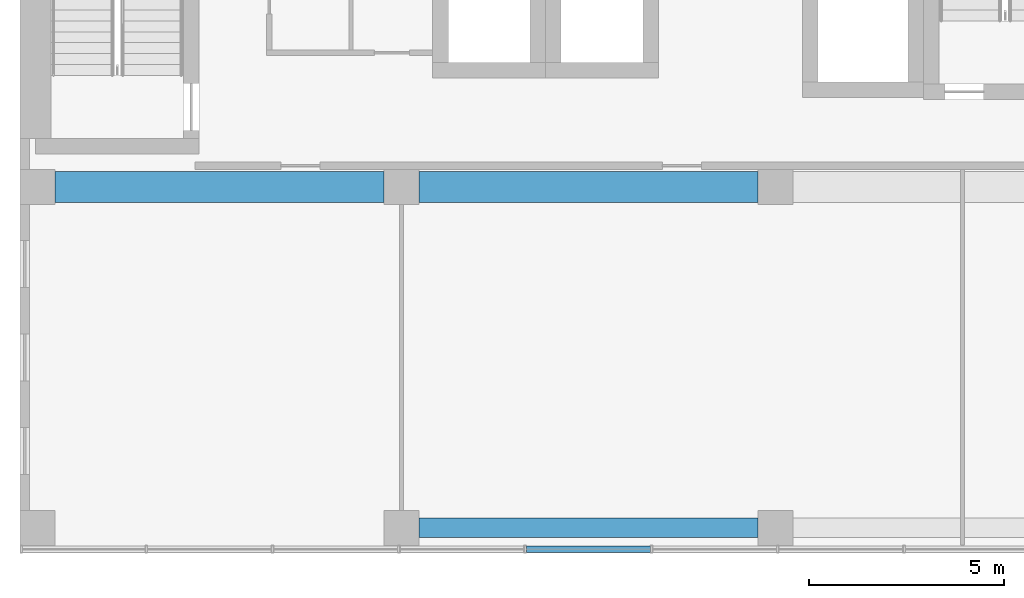
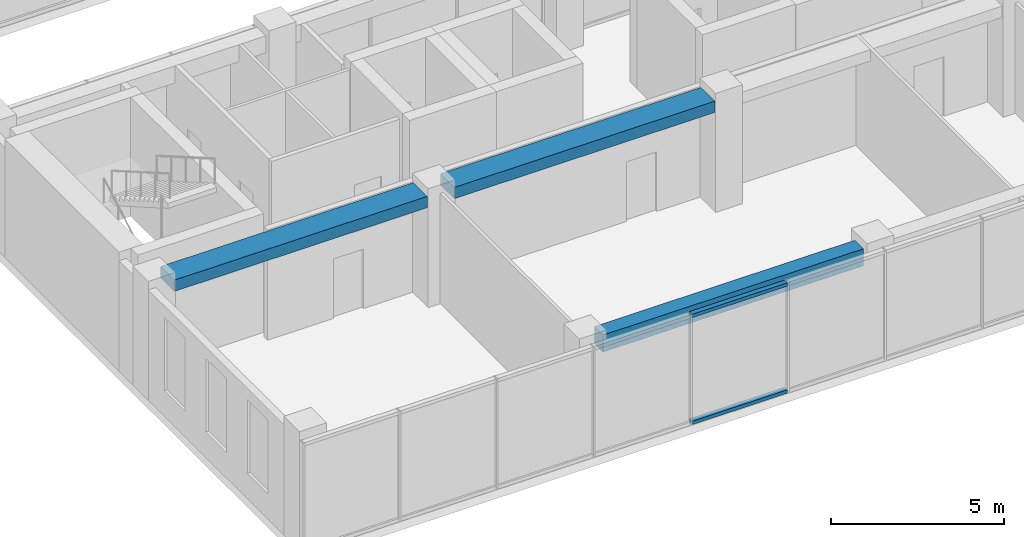
# One storey, part 3 of 36: 3 beams, 2 members, 1 element without a shape of its own.
"""IFC4 building model written with IfcOpenShell, lengths in metres."""

from ifc_helpers import new_model, si_unit, direction, frame, origin, origin_2d, place, context, subcontext, project, spatial, rectangle, hollow_rectangle, extrude, material, layer, layer_set, material_profile, profile_set, type_object, element, aggregate, save


model = new_model("IFC4")

# Units and contexts
model_context = context("Model", 3, precision=1e-05, world=origin(), true_north=direction((0.0, 1.0)))
body_context = subcontext(model_context, "Body", "Model", "MODEL_VIEW")
ifc_project = project(units=[si_unit("LENGTHUNIT", "METRE"), si_unit("AREAUNIT", "SQUARE_METRE"), si_unit("VOLUMEUNIT", "CUBIC_METRE"), si_unit("PLANEANGLEUNIT", "RADIAN"), si_unit("MASSUNIT", "GRAM", prefix="KILO")], contexts=[model_context])

# Site, building, storey
site_placement = place(None, origin())
site = spatial("IfcSite", under=ifc_project, at=site_placement, CompositionType="ELEMENT")
building_placement = place(site_placement, origin())
building = spatial("IfcBuilding", under=site, at=building_placement, Name="Nzadi Deep Aquarium and Research Tower", CompositionType="ELEMENT")
storey_placement = place(building_placement, frame((0.0, 0.0, 44.5)))
storey = spatial("IfcBuildingStorey", under=building, at=storey_placement, Name="L08", CompositionType="ELEMENT", Elevation=44.5)

# Beams
ifc_material_1 = material(Name="Concrete C35/45", Category="concrete")
ifc_material_profile_1 = material_profile(ifc_material_1, rectangle(XDim=0.5, YDim=0.60009765625, at=origin_2d()))
ifc_profile_set_1 = profile_set([ifc_material_profile_1], Name="Concrete C35/45")
beam_type_1 = type_object("IfcBeamType", Name="RC 500x600", PredefinedType="BEAM", material=ifc_profile_set_1)
beam_1_placement = place(storey_placement, frame((10.050048828125, 0.449951171875, 3.60009765625), z_axis=(1.0, 0.0, 0.0), x_axis=(0.0, 1.0, 0.0)))
element("IfcBeam", 1, at=beam_1_placement, inside=storey, type_object=beam_type_1, Name="B-Z1-L08-L1-2", PredefinedType="BEAM", context=body_context, shape_type="SweptSolid", body=[
    extrude(rectangle(XDim=0.5, YDim=0.60009765625, at=origin_2d()), origin(), (0.0, 0.0, 1.0), 8.699951171875),
])
ifc_material_2 = material(Name="Concrete C35/45", Category="concrete")
ifc_material_profile_2 = material_profile(ifc_material_2, rectangle(XDim=0.800048828125, YDim=0.39990234375, at=origin_2d()))
ifc_profile_set_2 = profile_set([ifc_material_profile_2], Name="Concrete C35/45")
beam_type_2 = type_object("IfcBeamType", Name="RC 800x400", PredefinedType="BEAM", material=ifc_profile_set_2)
beam_2_placement = place(storey_placement, frame((0.699951171875, 9.199951171875, 3.699951171875), z_axis=(1.0, 0.0, 0.0), x_axis=(0.0, 1.0, 0.0)))
element("IfcBeam", 2, at=beam_2_placement, inside=storey, type_object=beam_type_2, Name="B-Z1-L08-L2-1", PredefinedType="BEAM", context=body_context, shape_type="SweptSolid", body=[
    extrude(rectangle(XDim=0.800048828125, YDim=0.39990234375, at=origin_2d()), origin(), (0.0, 0.0, 1.0), 8.449951171875),
])
beam_3_placement = place(storey_placement, frame((10.050048828125, 9.199951171875, 3.699951171875), z_axis=(1.0, 0.0, 0.0), x_axis=(0.0, 1.0, 0.0)))
element("IfcBeam", 3, at=beam_3_placement, inside=storey, type_object=beam_type_2, Name="B-Z1-L08-L2-2", PredefinedType="BEAM", context=body_context, shape_type="SweptSolid", body=[
    extrude(rectangle(XDim=0.800048828125, YDim=0.39990234375, at=origin_2d()), origin(), (0.0, 0.0, 1.0), 8.699951171875),
])

# Curtain wall, members
ifc_material_3 = material(Name="Aluminium unitised frame", Category="aluminium")
ifc_layer = layer(ifc_material_3, 0.199951171875)
ifc_layer_set = layer_set([ifc_layer], Name="Aluminium unitised frame")
curtain_wall_type = type_object("IfcCurtainWallType", Name="Curtain wall Unitised 200", PredefinedType="NOTDEFINED", material=ifc_layer_set)
curtain_wall_placement = place(storey_placement, origin())
curtain_wall = element("IfcCurtainWall", 4, at=curtain_wall_placement, inside=storey, type_object=curtain_wall_type, Name="Unitised curtain wall blade A south L08", PredefinedType="NOTDEFINED")
ifc_material_4 = material(Name="Aluminium unitised frame", Category="aluminium")
ifc_material_profile_3 = material_profile(ifc_material_4, hollow_rectangle(XDim=0.159912109375, YDim=0.1201171875, WallThickness=0.0048828125, at=origin_2d()))
ifc_profile_set_3 = profile_set([ifc_material_profile_3], Name="Aluminium unitised frame")
member_type = type_object("IfcMemberType", Name="Transom 120x160 Unitised", PredefinedType="MULLION", material=ifc_profile_set_3)
member_1_placement = place(storey_placement, frame((12.80322265625, -0.10009765625, 0.06005859375), z_axis=(1.0, 0.0, 0.0), x_axis=(0.0, 1.0, 0.0)))
member_1 = element("IfcMember", 5, at=member_1_placement, type_object=member_type, Name="CW022 transom 5.1", PredefinedType="MULLION", context=body_context, shape_type="SweptSolid", body=[
    extrude(hollow_rectangle(XDim=0.159912109375, YDim=0.1201171875, WallThickness=0.0048828125, at=origin_2d()), origin(), (0.0, 0.0, 1.0), 3.183349609375),
])
member_2_placement = place(storey_placement, frame((12.80322265625, -0.10009765625, 3.840087890625), z_axis=(1.0, 0.0, 0.0), x_axis=(0.0, 1.0, 0.0)))
member_2 = element("IfcMember", 6, at=member_2_placement, type_object=member_type, Name="CW022 transom 5.2", PredefinedType="MULLION", context=body_context, shape_type="SweptSolid", body=[
    extrude(hollow_rectangle(XDim=0.159912109375, YDim=0.1201171875, WallThickness=0.0048828125, at=origin_2d()), origin(), (0.0, 0.0, 1.0), 3.183349609375),
])
aggregate(curtain_wall, [member_1, member_2])

save(model, "model.ifc")
